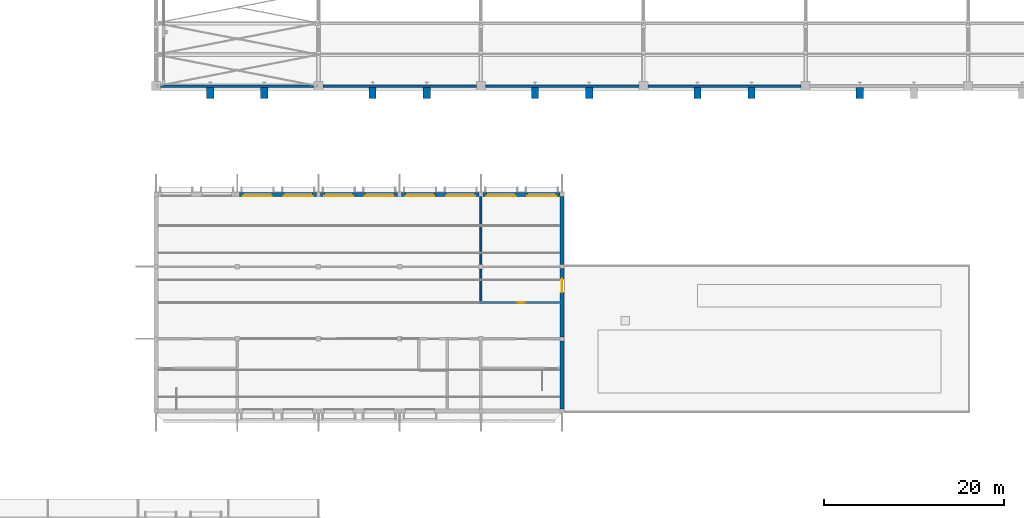
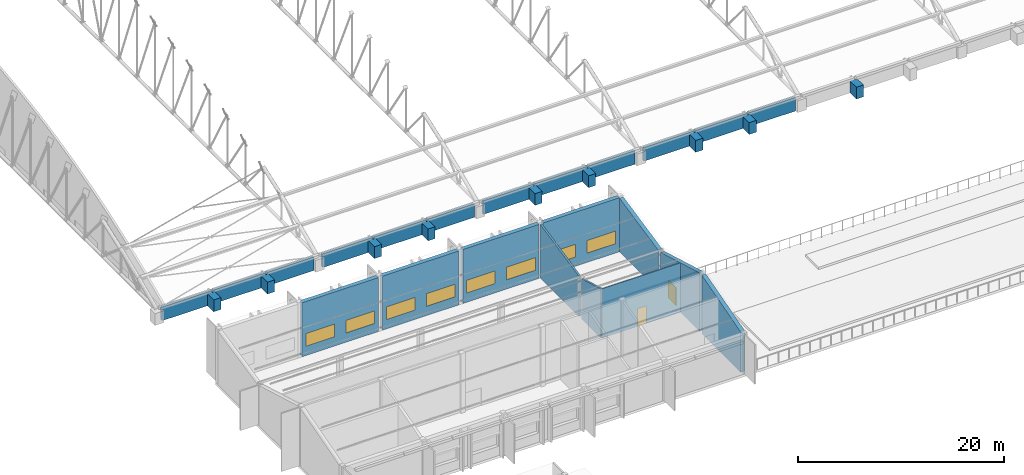
# One storey, part 120 of 196: 23 walls, 8 windows, 2 doors, 10 openings.
"""IFC4 building model written with IfcOpenShell, lengths in metres."""

from ifc_helpers import new_model, si_unit, direction, frame, frame_2d, origin, place, context, subcontext, project, spatial, polyline, rectangle, outline, extrude, material, layer, layer_set, type_object, element, fill, save


model = new_model("IFC4")

# Units and contexts
model_context = context("Model", 3, precision=1e-05, world=origin(), true_north=direction((0.0, 1.0)))
body_context = subcontext(model_context, "Body", "Model", "MODEL_VIEW")
ifc_project = project(units=[si_unit("LENGTHUNIT", "METRE"), si_unit("AREAUNIT", "SQUARE_METRE"), si_unit("VOLUMEUNIT", "CUBIC_METRE"), si_unit("PLANEANGLEUNIT", "RADIAN"), si_unit("MASSUNIT", "GRAM", prefix="KILO")], contexts=[model_context])

# Site, building, storey
site_placement = place(None, origin())
site = spatial("IfcSite", under=ifc_project, at=site_placement, CompositionType="ELEMENT")
building_placement = place(site_placement, origin())
building = spatial("IfcBuilding", under=site, at=building_placement, Name="Okhra Congress Centre", CompositionType="ELEMENT")
storey_placement = place(building_placement, frame((0.0, 0.0, 12.0)))
storey = spatial("IfcBuildingStorey", under=building, at=storey_placement, Name="L02", CompositionType="ELEMENT", Elevation=12.0)

# Walls
ifc_material_1 = material(Name="Concrete C35/45", Category="concrete")
ifc_layer_1 = layer(ifc_material_1, 0.800048828125)
ifc_layer_set_1 = layer_set([ifc_layer_1], Name="Buttress fin 800 REI 120 C35/45")
wall_type_1 = type_object("IfcWallType", Name="Buttress fin 800 REI 120 C35/45", PredefinedType="SOLIDWALL", material=ifc_layer_set_1)
for number, where, z_axis, x_axis, name in (
    (1, (34.0, 130.64990234375, 0.0), (0.0, 0.0, 1.0), (0.0, 1.0, 0.0), "EH.WALL.L02.8"),
    (2, (40.0, 130.64990234375, 0.0), (0.0, 0.0, 1.0), (0.0, 1.0, 0.0), "EH.WALL.L02.9"),
    (3, (52.0, 130.64990234375, 0.0), (0.0, 0.0, 1.0), (0.0, 1.0, 0.0), "EH.WALL.L02.10"),
    (4, (58.0, 130.64990234375, 0.0), (0.0, 0.0, 1.0), (0.0, 1.0, 0.0), "EH.WALL.L02.11"),
    (5, (70.0, 130.64990234375, 0.0), (0.0, 0.0, 1.0), (0.0, 1.0, 0.0), "EH.WALL.L02.12"),
    (6, (76.0, 130.64990234375, 0.0), (0.0, 0.0, 1.0), (0.0, 1.0, 0.0), "EH.WALL.L02.13"),
    (7, (88.0, 130.64990234375, 0.0), (0.0, 0.0, 1.0), (0.0, 1.0, 0.0), "EH.WALL.L02.14"),
    (8, (94.0, 130.64990234375, 0.0), (0.0, 0.0, 1.0), (0.0, 1.0, 0.0), "EH.WALL.L02.15"),
    (9, (106.0, 130.64990234375, 0.0), (0.0, 0.0, 1.0), (0.0, 1.0, 0.0), "EH.WALL.L02.16"),
):
    element("IfcWall", number, at=place(storey_placement, frame(where, z_axis=z_axis, x_axis=x_axis)), inside=storey, type_object=wall_type_1, Name=name, PredefinedType="SOLIDWALL", context=body_context, shape_type="SweptSolid", body=[
        extrude(rectangle(XDim=1.210205078125, YDim=0.800048828125, at=frame_2d((0.60498046875, 0.0))), origin(), (0.0, 0.0, 1.0), 1.39990234375),
    ])

# Wall, openings, windows
ifc_material_2 = material(Name="Insulated metal panel on steel stud (mineral wool, vapour barrier)", Category="steel")
ifc_layer_2 = layer(ifc_material_2, 0.449951171875)
ifc_layer_set_2 = layer_set([ifc_layer_2], Name="Insulated wall 450")
wall_type_2 = type_object("IfcWallType", Name="Insulated wall 450", PredefinedType="SOLIDWALL", material=ifc_layer_set_2)
wall_1_placement = place(storey_placement, frame((72.77490234375, 120.0, 0.0), z_axis=(0.0, 0.0, 1.0), x_axis=(-1.0, 0.0, 0.0)))
wall_1 = element("IfcWall", 10, at=wall_1_placement, inside=storey, type_object=wall_type_2, Name="SV.WALL.L02.22", PredefinedType="SOLIDWALL", context=body_context, shape_type="SweptSolid", body=[
    extrude(rectangle(XDim=8.5498046875, YDim=0.449951171875, at=frame_2d((4.27490234375, 0.0))), origin(), (0.0, 0.0, 1.0), 6.393798828125),
])
opening_1_placement = place(wall_1_placement, frame((4.925048828125, 0.0, 1.10009765625)))
opening_1 = element("IfcOpeningElement", 11, at=opening_1_placement, cuts=wall_1, Name="Opening WN16", PredefinedType="OPENING", context=body_context, shape_type="SweptSolid", body=[
    extrude(rectangle(XDim=3.199951171875, YDim=1.5, at=frame_2d((1.60009765625, 0.75))), frame((0.0, 0.23486328125, 0.0), z_axis=(0.0, -1.0, 0.0), x_axis=(1.0, 0.0, 0.0)), (0.0, 0.0, 1.0), 0.469970703125),
])
opening_2_placement = place(wall_1_placement, frame((0.425048828125, 0.0, 1.10009765625)))
opening_2 = element("IfcOpeningElement", 12, at=opening_2_placement, cuts=wall_1, Name="Opening WN16", PredefinedType="OPENING", context=body_context, shape_type="SweptSolid", body=[
    extrude(rectangle(XDim=3.199951171875, YDim=1.5, at=frame_2d((1.60009765625, 0.75))), frame((0.0, 0.23486328125, 0.0), z_axis=(0.0, -1.0, 0.0), x_axis=(1.0, 0.0, 0.0)), (0.0, 0.0, 1.0), 0.469970703125),
])
ifc_material_3 = material(Name="Thermally broken aluminium frame, triple glazing", Category="aluminium")
window_type = type_object("IfcWindowType", Name="Casement window 3200x1500", PartitioningType="SINGLE_PANEL", PredefinedType="WINDOW", material=ifc_material_3)
window_1_placement = place(opening_1_placement, origin())
window_1 = element("IfcWindow", 13, at=window_1_placement, inside=storey, type_object=window_type, Name="SV.WIN.L02.14", OverallHeight=1.5, OverallWidth=3.199951171875, PartitioningType="SINGLE_PANEL", PredefinedType="WINDOW", context=body_context, shape_type="SweptSolid", body=[
    extrude(rectangle(XDim=3.199951171875, YDim=1.5, at=frame_2d((1.60009765625, 0.75))), frame((0.0, 0.215087890625, 0.0), z_axis=(0.0, -1.0, 0.0), x_axis=(1.0, 0.0, 0.0)), (0.0, 0.0, 1.0), 0.06005859375),
])
fill(opening_1, window_1)
window_2_placement = place(opening_2_placement, origin())
window_2 = element("IfcWindow", 14, at=window_2_placement, inside=storey, type_object=window_type, Name="SV.WIN.L02.15", OverallHeight=1.5, OverallWidth=3.199951171875, PartitioningType="SINGLE_PANEL", PredefinedType="WINDOW", context=body_context, shape_type="SweptSolid", body=[
    extrude(rectangle(XDim=3.199951171875, YDim=1.5, at=frame_2d((1.60009765625, 0.75))), frame((0.0, 0.215087890625, 0.0), z_axis=(0.0, -1.0, 0.0), x_axis=(1.0, 0.0, 0.0)), (0.0, 0.0, 1.0), 0.06005859375),
])
fill(opening_2, window_2)

# Wall, opening, door
wall_2_placement = place(storey_placement, frame((73.0, 104.22509765625, 0.0), z_axis=(0.0, 0.0, 1.0), x_axis=(0.0, 1.0, 0.0)))
wall_2 = element("IfcWall", 15, at=wall_2_placement, inside=storey, type_object=wall_type_2, Name="SV.WALL.L02.36", PredefinedType="SOLIDWALL", context=body_context, shape_type="SweptSolid", body=[
    extrude(outline(polyline([(0.0, 0.0), (7.5498046875, 0.0), (7.550048828125, 4.75244140625), (0.0, 6.917236328125), (0.0, 0.0)])), frame((0.0, 0.22509765625, 0.0), z_axis=(0.0, -1.0, 0.0), x_axis=(1.0, 0.0, 0.0)), (0.0, 0.0, 1.0), 0.449951171875),
])
opening_3_placement = place(wall_2_placement, frame((4.925048828125, 0.0, 0.0)))
opening_3 = element("IfcOpeningElement", 16, at=opening_3_placement, cuts=wall_2, Name="Opening L02-013", PredefinedType="OPENING", context=body_context, shape_type="SweptSolid", body=[
    extrude(rectangle(XDim=1.5, YDim=2.10009765625, at=frame_2d((0.75, 1.050048828125))), frame((0.0, 0.23486328125, 0.0), z_axis=(0.0, -1.0, 0.0), x_axis=(1.0, 0.0, 0.0)), (0.0, 0.0, 1.0), 0.469970703125),
])
ifc_material_4 = material(Name="Aluminium-framed toughened glass door leaves", Category="aluminium")
door_type_1 = type_object("IfcDoorType", Name="Aluminium glazed door pair 1500x2100", OperationType="NOTDEFINED", PredefinedType="DOOR", material=ifc_material_4)
door_1_placement = place(opening_3_placement, frame((1.5, 0.0, 0.0), z_axis=(0.0, 0.0, 1.0), x_axis=(-1.0, 0.0, 0.0)))
door_1 = element("IfcDoor", 17, at=door_1_placement, inside=storey, type_object=door_type_1, Name="Door L02-013", OperationType="DOUBLE_DOOR_SINGLE_SWING", OverallHeight=2.10009765625, OverallWidth=1.5, PredefinedType="DOOR", context=body_context, shape_type="SweptSolid", body=[
    extrude(rectangle(XDim=1.5, YDim=2.10009765625, at=frame_2d((0.75, 1.050048828125))), frame((0.0, 0.02490234375, 0.0), z_axis=(0.0, -1.0, 0.0), x_axis=(1.0, 0.0, 0.0)), (0.0, 0.0, 1.0), 0.050048828125),
])
fill(opening_3, door_1)

# Wall
wall_3_placement = place(storey_placement, frame((73.0, 112.22509765625, 0.0), z_axis=(0.0, 0.0, 1.0), x_axis=(0.0, 1.0, 0.0)))
element("IfcWall", 18, at=wall_3_placement, inside=storey, type_object=wall_type_2, Name="SV.WALL.L02.37", PredefinedType="SOLIDWALL", context=body_context, shape_type="SweptSolid", body=[
    extrude(outline(polyline([(0.0, 0.0), (7.5498046875, 0.0), (7.550048828125, 6.345947265625), (0.0, 4.7412109375), (0.0, 0.0)])), frame((0.0, 0.22509765625, 0.0), z_axis=(0.0, -1.0, 0.0), x_axis=(1.0, 0.0, 0.0)), (0.0, 0.0, 1.0), 0.449951171875),
])

# Wall, openings, windows
ifc_layer_3 = layer(ifc_material_2, 0.449951171875)
ifc_layer_set_3 = layer_set([ifc_layer_3], Name="Insulated wall 450 EI 45")
wall_type_3 = type_object("IfcWallType", Name="Insulated wall 450 EI 45", PredefinedType="SOLIDWALL", material=ifc_layer_set_3)
wall_4_placement = place(storey_placement, frame((45.77490234375, 120.0, 0.0), z_axis=(0.0, 0.0, 1.0), x_axis=(-1.0, 0.0, 0.0)))
wall_4 = element("IfcWall", 19, at=wall_4_placement, inside=storey, type_object=wall_type_3, Name="SV.WALL.L02.19", PredefinedType="SOLIDWALL", context=body_context, shape_type="SweptSolid", body=[
    extrude(rectangle(XDim=8.5498046875, YDim=0.449951171875, at=frame_2d((4.27490234375, 0.0))), origin(), (0.0, 0.0, 1.0), 6.393798828125),
])
opening_4_placement = place(wall_4_placement, frame((4.925048828125, 0.0, 1.10009765625)))
opening_4 = element("IfcOpeningElement", 20, at=opening_4_placement, cuts=wall_4, Name="Opening WN16", PredefinedType="OPENING", context=body_context, shape_type="SweptSolid", body=[
    extrude(rectangle(XDim=3.199951171875, YDim=1.5, at=frame_2d((1.60009765625, 0.75))), frame((0.0, 0.23486328125, 0.0), z_axis=(0.0, -1.0, 0.0), x_axis=(1.0, 0.0, 0.0)), (0.0, 0.0, 1.0), 0.469970703125),
])
opening_5_placement = place(wall_4_placement, frame((0.425048828125, 0.0, 1.10009765625)))
opening_5 = element("IfcOpeningElement", 21, at=opening_5_placement, cuts=wall_4, Name="Opening WN16", PredefinedType="OPENING", context=body_context, shape_type="SweptSolid", body=[
    extrude(rectangle(XDim=3.199951171875, YDim=1.5, at=frame_2d((1.60009765625, 0.75))), frame((0.0, 0.23486328125, 0.0), z_axis=(0.0, -1.0, 0.0), x_axis=(1.0, 0.0, 0.0)), (0.0, 0.0, 1.0), 0.469970703125),
])
window_3_placement = place(opening_4_placement, origin())
window_3 = element("IfcWindow", 22, at=window_3_placement, inside=storey, type_object=window_type, Name="SV.WIN.L02.8", OverallHeight=1.5, OverallWidth=3.199951171875, PartitioningType="SINGLE_PANEL", PredefinedType="WINDOW", context=body_context, shape_type="SweptSolid", body=[
    extrude(rectangle(XDim=3.199951171875, YDim=1.5, at=frame_2d((1.60009765625, 0.75))), frame((0.0, 0.215087890625, 0.0), z_axis=(0.0, -1.0, 0.0), x_axis=(1.0, 0.0, 0.0)), (0.0, 0.0, 1.0), 0.06005859375),
])
fill(opening_4, window_3)
window_4_placement = place(opening_5_placement, origin())
window_4 = element("IfcWindow", 23, at=window_4_placement, inside=storey, type_object=window_type, Name="SV.WIN.L02.9", OverallHeight=1.5, OverallWidth=3.199951171875, PartitioningType="SINGLE_PANEL", PredefinedType="WINDOW", context=body_context, shape_type="SweptSolid", body=[
    extrude(rectangle(XDim=3.199951171875, YDim=1.5, at=frame_2d((1.60009765625, 0.75))), frame((0.0, 0.215087890625, 0.0), z_axis=(0.0, -1.0, 0.0), x_axis=(1.0, 0.0, 0.0)), (0.0, 0.0, 1.0), 0.06005859375),
])
fill(opening_5, window_4)

wall_5_placement = place(storey_placement, frame((54.77490234375, 120.0, 0.0), z_axis=(0.0, 0.0, 1.0), x_axis=(-1.0, 0.0, 0.0)))
wall_5 = element("IfcWall", 24, at=wall_5_placement, inside=storey, type_object=wall_type_3, Name="SV.WALL.L02.20", PredefinedType="SOLIDWALL", context=body_context, shape_type="SweptSolid", body=[
    extrude(rectangle(XDim=8.5498046875, YDim=0.449951171875, at=frame_2d((4.27490234375, 0.0))), origin(), (0.0, 0.0, 1.0), 6.393798828125),
])
opening_6_placement = place(wall_5_placement, frame((4.925048828125, 0.0, 1.10009765625)))
opening_6 = element("IfcOpeningElement", 25, at=opening_6_placement, cuts=wall_5, Name="Opening WN16", PredefinedType="OPENING", context=body_context, shape_type="SweptSolid", body=[
    extrude(rectangle(XDim=3.199951171875, YDim=1.5, at=frame_2d((1.60009765625, 0.75))), frame((0.0, 0.23486328125, 0.0), z_axis=(0.0, -1.0, 0.0), x_axis=(1.0, 0.0, 0.0)), (0.0, 0.0, 1.0), 0.469970703125),
])
opening_7_placement = place(wall_5_placement, frame((0.425048828125, 0.0, 1.10009765625)))
opening_7 = element("IfcOpeningElement", 26, at=opening_7_placement, cuts=wall_5, Name="Opening WN16", PredefinedType="OPENING", context=body_context, shape_type="SweptSolid", body=[
    extrude(rectangle(XDim=3.199951171875, YDim=1.5, at=frame_2d((1.60009765625, 0.75))), frame((0.0, 0.23486328125, 0.0), z_axis=(0.0, -1.0, 0.0), x_axis=(1.0, 0.0, 0.0)), (0.0, 0.0, 1.0), 0.469970703125),
])
window_5_placement = place(opening_6_placement, origin())
window_5 = element("IfcWindow", 27, at=window_5_placement, inside=storey, type_object=window_type, Name="SV.WIN.L02.10", OverallHeight=1.5, OverallWidth=3.199951171875, PartitioningType="SINGLE_PANEL", PredefinedType="WINDOW", context=body_context, shape_type="SweptSolid", body=[
    extrude(rectangle(XDim=3.199951171875, YDim=1.5, at=frame_2d((1.60009765625, 0.75))), frame((0.0, 0.215087890625, 0.0), z_axis=(0.0, -1.0, 0.0), x_axis=(1.0, 0.0, 0.0)), (0.0, 0.0, 1.0), 0.06005859375),
])
fill(opening_6, window_5)
window_6_placement = place(opening_7_placement, origin())
window_6 = element("IfcWindow", 28, at=window_6_placement, inside=storey, type_object=window_type, Name="SV.WIN.L02.11", OverallHeight=1.5, OverallWidth=3.199951171875, PartitioningType="SINGLE_PANEL", PredefinedType="WINDOW", context=body_context, shape_type="SweptSolid", body=[
    extrude(rectangle(XDim=3.199951171875, YDim=1.5, at=frame_2d((1.60009765625, 0.75))), frame((0.0, 0.215087890625, 0.0), z_axis=(0.0, -1.0, 0.0), x_axis=(1.0, 0.0, 0.0)), (0.0, 0.0, 1.0), 0.06005859375),
])
fill(opening_7, window_6)

wall_6_placement = place(storey_placement, frame((63.77490234375, 120.0, 0.0), z_axis=(0.0, 0.0, 1.0), x_axis=(-1.0, 0.0, 0.0)))
wall_6 = element("IfcWall", 29, at=wall_6_placement, inside=storey, type_object=wall_type_3, Name="SV.WALL.L02.21", PredefinedType="SOLIDWALL", context=body_context, shape_type="SweptSolid", body=[
    extrude(rectangle(XDim=8.5498046875, YDim=0.449951171875, at=frame_2d((4.27490234375, 0.0))), origin(), (0.0, 0.0, 1.0), 6.393798828125),
])
opening_8_placement = place(wall_6_placement, frame((4.925048828125, 0.0, 1.10009765625)))
opening_8 = element("IfcOpeningElement", 30, at=opening_8_placement, cuts=wall_6, Name="Opening WN16", PredefinedType="OPENING", context=body_context, shape_type="SweptSolid", body=[
    extrude(rectangle(XDim=3.199951171875, YDim=1.5, at=frame_2d((1.60009765625, 0.75))), frame((0.0, 0.23486328125, 0.0), z_axis=(0.0, -1.0, 0.0), x_axis=(1.0, 0.0, 0.0)), (0.0, 0.0, 1.0), 0.469970703125),
])
opening_9_placement = place(wall_6_placement, frame((0.425048828125, 0.0, 1.10009765625)))
opening_9 = element("IfcOpeningElement", 31, at=opening_9_placement, cuts=wall_6, Name="Opening WN16", PredefinedType="OPENING", context=body_context, shape_type="SweptSolid", body=[
    extrude(rectangle(XDim=3.199951171875, YDim=1.5, at=frame_2d((1.60009765625, 0.75))), frame((0.0, 0.23486328125, 0.0), z_axis=(0.0, -1.0, 0.0), x_axis=(1.0, 0.0, 0.0)), (0.0, 0.0, 1.0), 0.469970703125),
])
window_7_placement = place(opening_8_placement, origin())
window_7 = element("IfcWindow", 32, at=window_7_placement, inside=storey, type_object=window_type, Name="SV.WIN.L02.12", OverallHeight=1.5, OverallWidth=3.199951171875, PartitioningType="SINGLE_PANEL", PredefinedType="WINDOW", context=body_context, shape_type="SweptSolid", body=[
    extrude(rectangle(XDim=3.199951171875, YDim=1.5, at=frame_2d((1.60009765625, 0.75))), frame((0.0, 0.215087890625, 0.0), z_axis=(0.0, -1.0, 0.0), x_axis=(1.0, 0.0, 0.0)), (0.0, 0.0, 1.0), 0.06005859375),
])
fill(opening_8, window_7)
window_8_placement = place(opening_9_placement, origin())
window_8 = element("IfcWindow", 33, at=window_8_placement, inside=storey, type_object=window_type, Name="SV.WIN.L02.13", OverallHeight=1.5, OverallWidth=3.199951171875, PartitioningType="SINGLE_PANEL", PredefinedType="WINDOW", context=body_context, shape_type="SweptSolid", body=[
    extrude(rectangle(XDim=3.199951171875, YDim=1.5, at=frame_2d((1.60009765625, 0.75))), frame((0.0, 0.215087890625, 0.0), z_axis=(0.0, -1.0, 0.0), x_axis=(1.0, 0.0, 0.0)), (0.0, 0.0, 1.0), 0.06005859375),
])
fill(opening_9, window_8)

# Walls
ifc_material_5 = material(Name="Insulated metal sandwich panel (mineral wool core)")
ifc_layer_4 = layer(ifc_material_5, 0.300048828125)
ifc_layer_set_4 = layer_set([ifc_layer_4], Name="Insulated wall panel 300")
wall_type_4 = type_object("IfcWallType", Name="Insulated wall panel 300", PredefinedType="SOLIDWALL", material=ifc_layer_set_4)
for number, where, z_axis, x_axis, name in (
    (34, (28.5, 132.0, 0.0), (0.0, 0.0, 1.0), (1.0, 0.0, 0.0), "EH.WALL.L02.1"),
    (35, (46.5, 132.0, 0.0), (0.0, 0.0, 1.0), (1.0, 0.0, 0.0), "EH.WALL.L02.2"),
    (36, (64.5, 132.0, 0.0), (0.0, 0.0, 1.0), (1.0, 0.0, 0.0), "EH.WALL.L02.3"),
    (37, (82.5, 132.0, 0.0), (0.0, 0.0, 1.0), (1.0, 0.0, 0.0), "EH.WALL.L02.4"),
):
    element("IfcWall", number, at=place(storey_placement, frame(where, z_axis=z_axis, x_axis=x_axis)), inside=storey, type_object=wall_type_4, Name=name, PredefinedType="SOLIDWALL", context=body_context, shape_type="SweptSolid", body=[
        extrude(rectangle(XDim=17.0, YDim=0.300048828125, at=frame_2d((8.5, 0.0))), origin(), (0.0, 0.0, 1.0), 1.57666015625),
    ])
ifc_material_6 = material(Name="Masonry blockwork (aerated concrete D500)", Category="masonry")
ifc_layer_5 = layer(ifc_material_6, 0.199951171875)
ifc_layer_set_5 = layer_set([ifc_layer_5], Name="Masonry block wall 200 EI 45")
wall_type_5 = type_object("IfcWallType", Name="Masonry block wall 200 EI 45", PredefinedType="SOLIDWALL", material=ifc_layer_set_5)
wall_7_placement = place(storey_placement, frame((64.0, 108.10009765625, 0.0), z_axis=(0.0, 0.0, 1.0), x_axis=(0.0, 1.0, 0.0)))
element("IfcWall", 38, at=wall_7_placement, inside=storey, type_object=wall_type_5, Name="SV.WALL.L02.33", PredefinedType="SOLIDWALL", context=body_context, shape_type="SweptSolid", body=[
    extrude(outline(polyline([(0.0, 0.0), (3.64990234375, 0.0), (3.64990234375, 4.759521484375), (0.0, 5.80615234375), (0.0, 0.0)])), frame((0.0, 0.10009765625, 0.0), z_axis=(0.0, -1.0, 0.0), x_axis=(1.0, 0.0, 0.0)), (0.0, 0.0, 1.0), 0.199951171875),
])
wall_8_placement = place(storey_placement, frame((64.0, 112.25, 0.0), z_axis=(0.0, 0.0, 1.0), x_axis=(0.0, 1.0, 0.0)))
element("IfcWall", 39, at=wall_8_placement, inside=storey, type_object=wall_type_5, Name="SV.WALL.L02.34", PredefinedType="SOLIDWALL", context=body_context, shape_type="SweptSolid", body=[
    extrude(outline(polyline([(0.0, 0.0), (7.52490234375, 0.0), (7.52490234375, 6.345947265625), (0.0, 4.746337890625), (0.0, 0.0)])), frame((0.0, 0.10009765625, 0.0), z_axis=(0.0, -1.0, 0.0), x_axis=(1.0, 0.0, 0.0)), (0.0, 0.0, 1.0), 0.199951171875),
])

# Wall, opening, door
ifc_material_7 = material(Name="Gypsum board on steel studs", Category="steel")
ifc_layer_6 = layer(ifc_material_7, 0.10009765625)
ifc_layer_set_6 = layer_set([ifc_layer_6], Name="Partition 100 EI 15")
wall_type_6 = type_object("IfcWallType", Name="Partition 100 EI 15", PredefinedType="PARTITIONING", material=ifc_layer_set_6)
wall_9_placement = place(storey_placement, frame((64.0, 108.0, 0.0), z_axis=(0.0, 0.0, 1.0), x_axis=(1.0, 0.0, 0.0)))
wall_9 = element("IfcWall", 40, at=wall_9_placement, inside=storey, type_object=wall_type_6, Name="SV.WALL.L02.17", PredefinedType="PARTITIONING", context=body_context, shape_type="SweptSolid", body=[
    extrude(rectangle(XDim=8.77490234375, YDim=0.10009765625, at=frame_2d((4.387451171875, 0.0))), origin(), (0.0, 0.0, 1.0), 5.8349609375),
])
opening_10_placement = place(wall_9_placement, frame((4.0, 0.0, 0.0)))
opening_10 = element("IfcOpeningElement", 41, at=opening_10_placement, cuts=wall_9, Name="Opening L02-011", PredefinedType="OPENING", context=body_context, shape_type="SweptSolid", body=[
    extrude(rectangle(XDim=1.0, YDim=2.10009765625, at=frame_2d((0.5, 1.050048828125))), frame((0.0, 0.06005859375, 0.0), z_axis=(0.0, -1.0, 0.0), x_axis=(1.0, 0.0, 0.0)), (0.0, 0.0, 1.0), 0.1201171875),
])
ifc_material_8 = material(Name="Timber door leaf in steel frame", Category="steel")
door_type_2 = type_object("IfcDoorType", Name="Single swing door 1000x2100", OperationType="NOTDEFINED", PredefinedType="DOOR", material=ifc_material_8)
door_2_placement = place(opening_10_placement, frame((1.0, 0.0, 0.0), z_axis=(0.0, 0.0, 1.0), x_axis=(-1.0, 0.0, 0.0)))
door_2 = element("IfcDoor", 42, at=door_2_placement, inside=storey, type_object=door_type_2, Name="Door L02-011", OperationType="SINGLE_SWING_LEFT", OverallHeight=2.10009765625, OverallWidth=1.0, PredefinedType="DOOR", context=body_context, shape_type="SweptSolid", body=[
    extrude(rectangle(XDim=1.0, YDim=2.10009765625, at=frame_2d((0.5, 1.050048828125))), frame((0.0, 0.02490234375, 0.0), z_axis=(0.0, -1.0, 0.0), x_axis=(1.0, 0.0, 0.0)), (0.0, 0.0, 1.0), 0.050048828125),
])
fill(opening_10, door_2)

# Wall
ifc_material_9 = material(Name="Concrete C30/37", Category="concrete")
ifc_layer_7 = layer(ifc_material_9, 0.449951171875)
ifc_layer_set_7 = layer_set([ifc_layer_7], Name="RC facade wall 450 REI 120 C30/37")
wall_type_7 = type_object("IfcWallType", Name="RC facade wall 450 REI 120 C30/37", PredefinedType="SOLIDWALL", material=ifc_layer_set_7)
wall_10_placement = place(storey_placement, frame((73.0, 96.22509765625, 0.0), z_axis=(0.0, 0.0, 1.0), x_axis=(0.0, 1.0, 0.0)))
element("IfcWall", 43, at=wall_10_placement, inside=storey, type_object=wall_type_7, Name="SV.WALL.L02.35", PredefinedType="SOLIDWALL", context=body_context, shape_type="SweptSolid", body=[
    extrude(outline(polyline([(0.0, 0.0), (7.5498046875, 0.0), (7.550048828125, 6.917236328125), (0.0, 4.75244140625), (0.0, 0.0)])), frame((0.0, 0.22509765625, 0.0), z_axis=(0.0, -1.0, 0.0), x_axis=(1.0, 0.0, 0.0)), (0.0, 0.0, 1.0), 0.449951171875),
])

save(model, "model.ifc")
